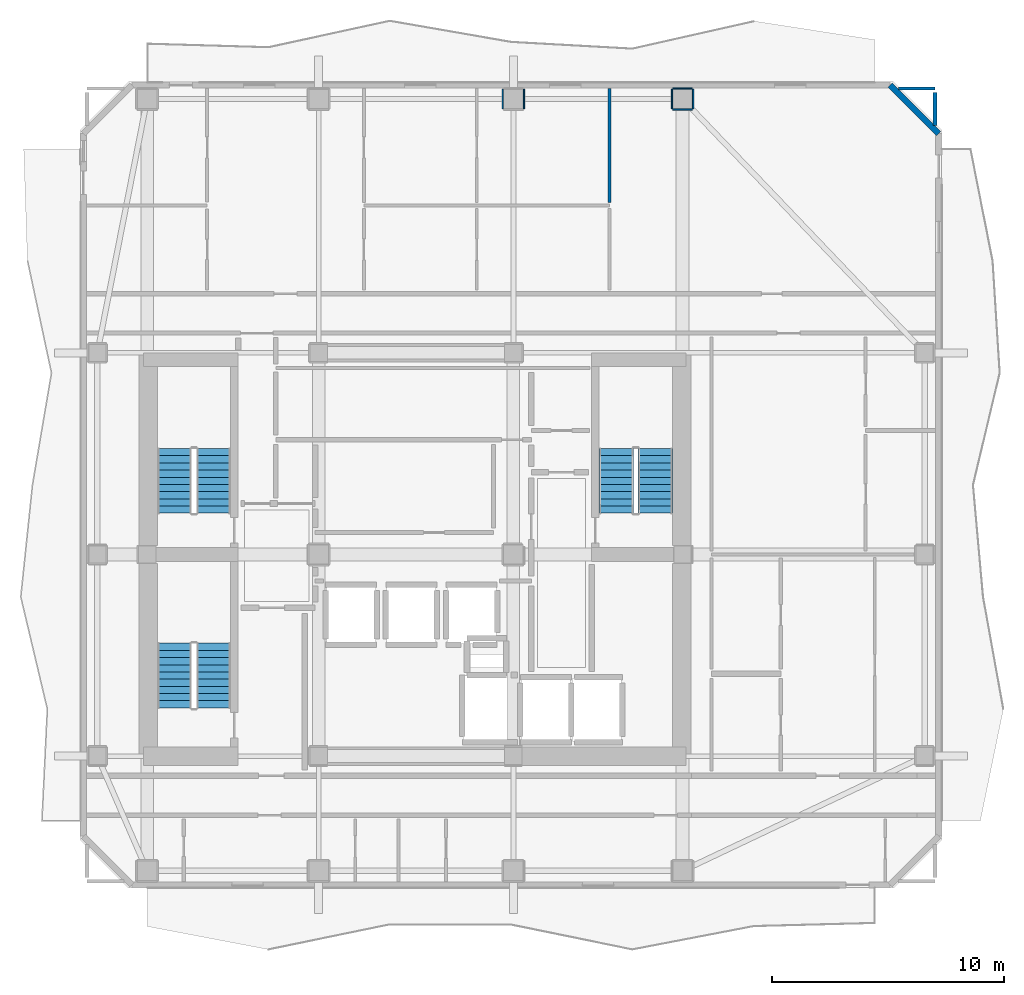
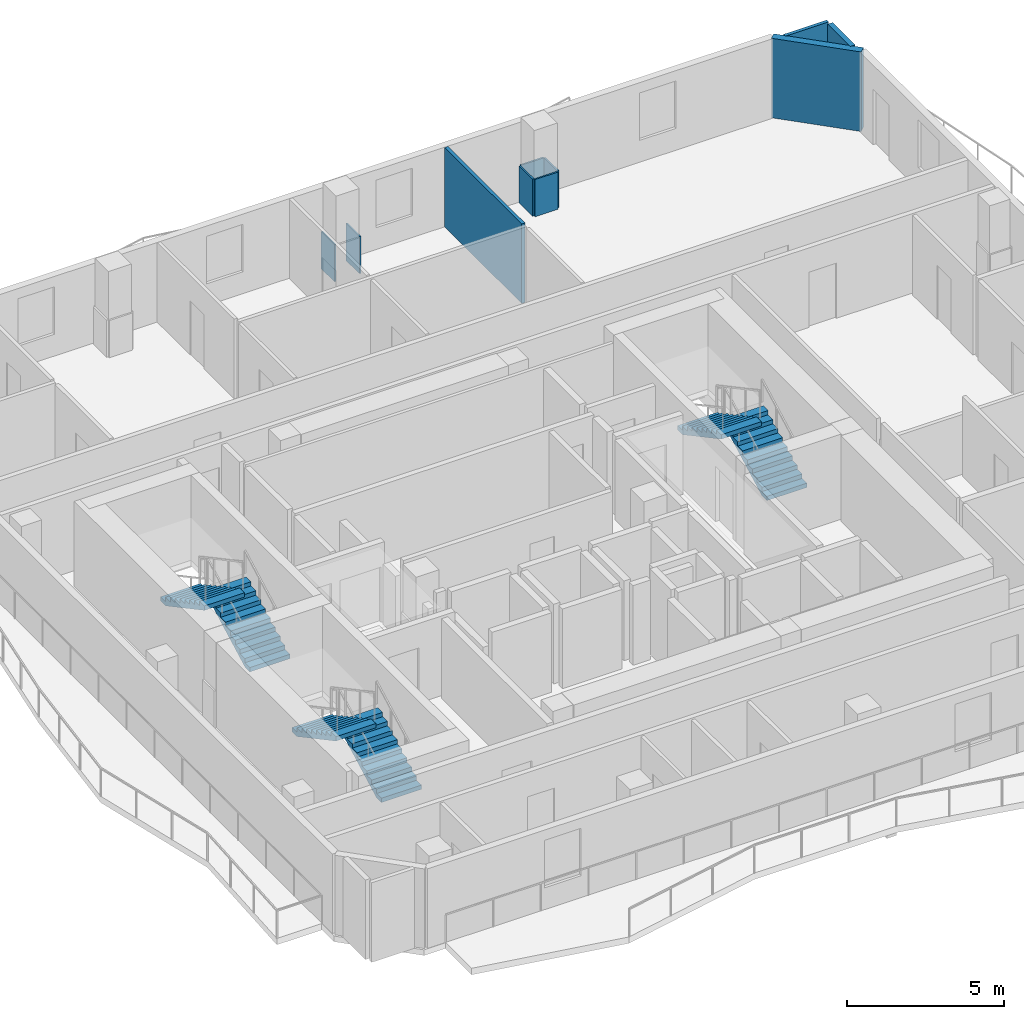
# One storey, part 6 of 9: 10 walls, 6 stair flights, 3 elements without a shape of their own.
"""IFC4 building model written with IfcOpenShell, lengths in metres."""

from ifc_helpers import new_model, si_unit, direction, frame, frame_2d, origin, place, context, subcontext, project, spatial, polyline, rectangle, outline, extrude, material, layer, layer_set, type_object, element, aggregate, save


model = new_model("IFC4")

# Units and contexts
model_context = context("Model", 3, precision=1e-05, world=origin(), true_north=direction((0.0, 1.0)))
body_context = subcontext(model_context, "Body", "Model", "MODEL_VIEW")
ifc_project = project(units=[si_unit("LENGTHUNIT", "METRE"), si_unit("AREAUNIT", "SQUARE_METRE"), si_unit("VOLUMEUNIT", "CUBIC_METRE"), si_unit("PLANEANGLEUNIT", "RADIAN"), si_unit("MASSUNIT", "GRAM", prefix="KILO")], contexts=[model_context])

# Site, building, storey
site_placement = place(None, origin())
site = spatial("IfcSite", under=ifc_project, at=site_placement, CompositionType="ELEMENT")
building_placement = place(site_placement, origin())
building = spatial("IfcBuilding", under=site, at=building_placement, Name="Solanera Arch Residences", CompositionType="ELEMENT")
storey_placement = place(building_placement, frame((0.0, 0.0, 234.60009765625)))
storey = spatial("IfcBuildingStorey", under=building, at=storey_placement, Name="L68", CompositionType="ELEMENT", Elevation=234.60009765625)

# Walls
ifc_material_1 = material(Name="Fire-Rated Gypsum Stud Partition", Category="gypsum")
ifc_layer_1 = layer(ifc_material_1, 0.06005859375)
ifc_layer_set_1 = layer_set([ifc_layer_1], Name="Fire-Rated Gypsum Stud Partition")
wall_type_1 = type_object("IfcWallType", Name="Column Acoustic Furring Wall 60", PredefinedType="PARTITIONING", material=ifc_layer_set_1)
for number, where, z_axis, x_axis, name in (
    (1, (28.742919921875, 49.925048828125, 0.0), (0.0, 0.0, 1.0), (0.0, 1.0, 0.0), "L68 Column Furring 14W"),
    (2, (29.656982421875, 49.925048828125, 0.0), (0.0, 0.0, 1.0), (0.0, 1.0, 0.0), "L68 Column Furring 14E"),
):
    element("IfcWall", number, at=place(storey_placement, frame(where, z_axis=z_axis, x_axis=x_axis)), inside=storey, type_object=wall_type_1, Name=name, PredefinedType="PARTITIONING", context=body_context, shape_type="SweptSolid", body=[
        extrude(rectangle(XDim=0.849853515625, YDim=0.06005859375, at=frame_2d((0.4248046875, 0.0))), origin(), (0.0, 0.0, 1.0), 1.449951171875),
    ])
for number, where, z_axis, x_axis, name in (
    (3, (36.074951171875, 49.89306640625, 0.0), (0.0, 0.0, 1.0), (1.0, 0.0, 0.0), "L68 Column Furring 16S"),
    (4, (36.074951171875, 50.806884765625, 0.0), (0.0, 0.0, 1.0), (1.0, 0.0, 0.0), "L68 Column Furring 16N"),
):
    element("IfcWall", number, at=place(storey_placement, frame(where, z_axis=z_axis, x_axis=x_axis)), inside=storey, type_object=wall_type_1, Name=name, PredefinedType="PARTITIONING", context=body_context, shape_type="SweptSolid", body=[
        extrude(rectangle(XDim=0.85009765625, YDim=0.06005859375, at=frame_2d((0.425048828125, 0.0))), origin(), (0.0, 0.0, 1.0), 1.449951171875),
    ])
for number, where, z_axis, x_axis, name in (
    (5, (36.04296875, 49.925048828125, 0.0), (0.0, 0.0, 1.0), (0.0, 1.0, 0.0), "L68 Column Furring 16W"),
    (6, (36.95703125, 49.925048828125, 0.0), (0.0, 0.0, 1.0), (0.0, 1.0, 0.0), "L68 Column Furring 16E"),
):
    element("IfcWall", number, at=place(storey_placement, frame(where, z_axis=z_axis, x_axis=x_axis)), inside=storey, type_object=wall_type_1, Name=name, PredefinedType="PARTITIONING", context=body_context, shape_type="SweptSolid", body=[
        extrude(rectangle(XDim=0.849853515625, YDim=0.06005859375, at=frame_2d((0.4248046875, 0.0))), origin(), (0.0, 0.0, 1.0), 1.449951171875),
    ])
ifc_material_2 = material(Name="Autoclaved Aerated Concrete Blockwork", Category="masonry")
ifc_layer_2 = layer(ifc_material_2, 0.179931640625)
ifc_layer_set_2 = layer_set([ifc_layer_2], Name="Autoclaved Aerated Concrete Blockwork")
wall_type_2 = type_object("IfcWallType", Name="Corridor Fire Partition 180", PredefinedType="PARTITIONING", material=ifc_layer_set_2)
wall_1_placement = place(storey_placement, frame((47.39990234375, 49.2109375, 0.0), z_axis=(0.0, 0.0, 1.0), x_axis=(0.0, 1.0, 0.0)))
element("IfcWall", 7, at=wall_1_placement, inside=storey, type_object=wall_type_2, Name="L68 Interior Partition V10 2", PredefinedType="PARTITIONING", context=body_context, shape_type="SweptSolid", body=[
    extrude(rectangle(XDim=1.43115234375, YDim=0.179931640625, at=frame_2d((0.715576171875, 0.0))), origin(), (0.0, 0.0, 1.0), 3.099853515625),
])
ifc_material_3 = material(Name="Precast Concrete C35/45", Category="concrete")
ifc_layer_3 = layer(ifc_material_3, 0.260009765625)
ifc_layer_set_3 = layer_set([ifc_layer_3], Name="Precast Concrete C35/45")
wall_type_3 = type_object("IfcWallType", Name="Exterior Wall Precast Masonry-Frame 260", PredefinedType="STANDARD", material=ifc_layer_set_3)
wall_2_placement = place(storey_placement, frame((45.455078125, 50.955078125, 0.0), z_axis=(0.0, 0.0, 1.0), x_axis=(0.707065676302, -0.707147883682, 0.0)))
element("IfcWall", 8, at=wall_2_placement, inside=storey, type_object=wall_type_3, Name="L68 Tower Exterior Precast Masonry-Frame Wall CH3", PredefinedType="STANDARD", context=body_context, shape_type="SweptSolid", body=[
    extrude(rectangle(XDim=2.9697265625, YDim=0.260009765625, at=frame_2d((1.48486328125, 0.0))), origin(), (0.0, 0.0, 1.0), 3.099853515625),
])
ifc_material_4 = material(Name="Fire-Rated Gypsum Stud Partition", Category="gypsum")
ifc_layer_4 = layer(ifc_material_4, 0.1201171875)
ifc_layer_set_4 = layer_set([ifc_layer_4], Name="Fire-Rated Gypsum Stud Partition")
wall_type_4 = type_object("IfcWallType", Name="Unit Drywall Partition 120", PredefinedType="PARTITIONING", material=ifc_layer_set_4)
wall_3_placement = place(storey_placement, frame((45.81103515625, 50.800048828125, 0.0), z_axis=(0.0, 0.0, 1.0), x_axis=(1.0, 0.0, 0.0)))
element("IfcWall", 9, at=wall_3_placement, inside=storey, type_object=wall_type_4, Name="L68 Interior Partition H20 2", PredefinedType="PARTITIONING", context=body_context, shape_type="SweptSolid", body=[
    extrude(rectangle(XDim=1.5888671875, YDim=0.1201171875, at=frame_2d((0.79443359375, 0.0))), origin(), (0.0, 0.0, 1.0), 3.099853515625),
])
wall_4_placement = place(storey_placement, frame((33.347900390625, 45.89404296875, 0.0), z_axis=(0.0, 0.0, 1.0), x_axis=(0.0, 1.0, 0.0)))
element("IfcWall", 10, at=wall_4_placement, inside=storey, type_object=wall_type_4, Name="L68 Interior Partition V21 2", PredefinedType="PARTITIONING", context=body_context, shape_type="SweptSolid", body=[
    extrude(rectangle(XDim=4.9189453125, YDim=0.1201171875, at=frame_2d((2.45947265625, 0.0))), origin(), (0.0, 0.0, 1.0), 3.099853515625),
])

# Stair, stair flights
ifc_material_5 = material(Name="Concrete C40/50 (f'c = 45 MPa)", Category="concrete")
stair_type = type_object("IfcStairType", Name="Tower Dogleg Exit Stair 1480", PredefinedType="HALF_TURN_STAIR", material=ifc_material_5)
stair_1_placement = place(storey_placement, origin())
stair_1 = element("IfcStair", 11, at=stair_1_placement, inside=storey, type_object=stair_type, Name="L68 Tower Core Exit Stair 1", PredefinedType="HALF_TURN_STAIR")
ifc_material_6 = material(Name="Concrete C40/50 (f'c = 45 MPa)", Category="concrete")
stair_flight_type = type_object("IfcStairFlightType", Name="Tower Precast Stair Flight 1480", PredefinedType="STRAIGHT", material=ifc_material_6)
stair_flight_1_placement = place(storey_placement, frame((16.260009765625, 32.47998046875, 0.0), z_axis=(0.0, 0.0, 1.0), x_axis=(0.0, 1.0, 0.0)))
stair_flight_1 = element("IfcStairFlight", 12, at=stair_flight_1_placement, type_object=stair_flight_type, Name="ST-T1 flight 1", NumberOfRisers=10, NumberOfTreads=9, PredefinedType="STRAIGHT", RiserHeight=0.166, TreadLength=0.31, context=body_context, shape_type="SweptSolid", body=[
    extrude(outline(polyline([(0.0, 0.0), (0.0, 0.166015625), (0.31005859375, 0.166015625), (0.31005859375, 0.33203125), (0.6201171875, 0.33203125), (0.6201171875, 0.498046875), (0.929931640625, 0.498046875), (0.929931640625, 0.6640625), (1.239990234375, 0.6640625), (1.239990234375, 0.830078125), (1.550048828125, 0.830078125), (1.550048828125, 0.99609375), (1.860107421875, 0.99609375), (1.860107421875, 1.162109375), (2.169921875, 1.162109375), (2.169921875, 1.327880859375), (2.47998046875, 1.327880859375), (2.47998046875, 1.493896484375), (2.7900390625, 1.493896484375), (2.7900390625, 1.659912109375), (2.7900390625, 1.323974609375), (0.317626953125, 0.0), (0.0, 0.0)])), frame((0.0, 0.739990234375, 0.0), z_axis=(0.0, -1.0, 0.0), x_axis=(1.0, 0.0, 0.0)), (0.0, 0.0, 1.0), 1.47998046875),
])
stair_flight_2_placement = place(storey_placement, frame((14.580078125, 35.27001953125, 1.659912109375), z_axis=(0.0, 0.0, 1.0), x_axis=(0.0, -1.0, 0.0)))
stair_flight_2 = element("IfcStairFlight", 13, at=stair_flight_2_placement, type_object=stair_flight_type, Name="ST-T1 flight 2", NumberOfRisers=10, NumberOfTreads=9, PredefinedType="STRAIGHT", RiserHeight=0.166, TreadLength=0.31, context=body_context, shape_type="SweptSolid", body=[
    extrude(outline(polyline([(0.0, 0.0), (0.0, 0.166015625), (0.31005859375, 0.166015625), (0.31005859375, 0.33203125), (0.6201171875, 0.33203125), (0.6201171875, 0.498046875), (0.929931640625, 0.498046875), (0.929931640625, 0.6640625), (1.239990234375, 0.6640625), (1.239990234375, 0.830078125), (1.550048828125, 0.830078125), (1.550048828125, 0.99609375), (1.860107421875, 0.99609375), (1.860107421875, 1.162109375), (2.169921875, 1.162109375), (2.169921875, 1.327880859375), (2.47998046875, 1.327880859375), (2.47998046875, 1.493896484375), (2.7900390625, 1.493896484375), (2.7900390625, 1.659912109375), (2.7900390625, 1.323974609375), (0.317626953125, 0.0), (0.0, 0.0)])), frame((0.0, 0.739990234375, 0.0), z_axis=(0.0, -1.0, 0.0), x_axis=(1.0, 0.0, 0.0)), (0.0, 0.0, 1.0), 1.47998046875),
])
aggregate(stair_1, [stair_flight_1, stair_flight_2])

stair_2_placement = place(storey_placement, origin())
stair_2 = element("IfcStair", 14, at=stair_2_placement, inside=storey, type_object=stair_type, Name="L68 Tower Core Exit Stair 2", PredefinedType="HALF_TURN_STAIR")
stair_flight_3_placement = place(storey_placement, frame((35.320068359375, 32.47998046875, 0.0), z_axis=(0.0, 0.0, 1.0), x_axis=(0.0, 1.0, 0.0)))
stair_flight_3 = element("IfcStairFlight", 15, at=stair_flight_3_placement, type_object=stair_flight_type, Name="ST-T2 flight 1", NumberOfRisers=10, NumberOfTreads=9, PredefinedType="STRAIGHT", RiserHeight=0.166, TreadLength=0.31, context=body_context, shape_type="SweptSolid", body=[
    extrude(outline(polyline([(0.0, 0.0), (0.0, 0.166015625), (0.31005859375, 0.166015625), (0.31005859375, 0.33203125), (0.6201171875, 0.33203125), (0.6201171875, 0.498046875), (0.929931640625, 0.498046875), (0.929931640625, 0.6640625), (1.239990234375, 0.6640625), (1.239990234375, 0.830078125), (1.550048828125, 0.830078125), (1.550048828125, 0.99609375), (1.860107421875, 0.99609375), (1.860107421875, 1.162109375), (2.169921875, 1.162109375), (2.169921875, 1.327880859375), (2.47998046875, 1.327880859375), (2.47998046875, 1.493896484375), (2.7900390625, 1.493896484375), (2.7900390625, 1.659912109375), (2.7900390625, 1.323974609375), (0.317626953125, 0.0), (0.0, 0.0)])), frame((0.0, 0.739990234375, 0.0), z_axis=(0.0, -1.0, 0.0), x_axis=(1.0, 0.0, 0.0)), (0.0, 0.0, 1.0), 1.47998046875),
])
stair_flight_4_placement = place(storey_placement, frame((33.639892578125, 35.27001953125, 1.659912109375), z_axis=(0.0, 0.0, 1.0), x_axis=(0.0, -1.0, 0.0)))
stair_flight_4 = element("IfcStairFlight", 16, at=stair_flight_4_placement, type_object=stair_flight_type, Name="ST-T2 flight 2", NumberOfRisers=10, NumberOfTreads=9, PredefinedType="STRAIGHT", RiserHeight=0.166, TreadLength=0.31, context=body_context, shape_type="SweptSolid", body=[
    extrude(outline(polyline([(0.0, 0.0), (0.0, 0.166015625), (0.31005859375, 0.166015625), (0.31005859375, 0.33203125), (0.6201171875, 0.33203125), (0.6201171875, 0.498046875), (0.929931640625, 0.498046875), (0.929931640625, 0.6640625), (1.239990234375, 0.6640625), (1.239990234375, 0.830078125), (1.550048828125, 0.830078125), (1.550048828125, 0.99609375), (1.860107421875, 0.99609375), (1.860107421875, 1.162109375), (2.169921875, 1.162109375), (2.169921875, 1.327880859375), (2.47998046875, 1.327880859375), (2.47998046875, 1.493896484375), (2.7900390625, 1.493896484375), (2.7900390625, 1.659912109375), (2.7900390625, 1.323974609375), (0.317626953125, 0.0), (0.0, 0.0)])), frame((0.0, 0.739990234375, 0.0), z_axis=(0.0, -1.0, 0.0), x_axis=(1.0, 0.0, 0.0)), (0.0, 0.0, 1.0), 1.47998046875),
])
aggregate(stair_2, [stair_flight_3, stair_flight_4])

stair_3_placement = place(storey_placement, origin())
stair_3 = element("IfcStair", 17, at=stair_3_placement, inside=storey, type_object=stair_type, Name="L68 Tower Core Exit Stair 3", PredefinedType="HALF_TURN_STAIR")
stair_flight_5_placement = place(storey_placement, frame((16.260009765625, 24.080078125, 0.0), z_axis=(0.0, 0.0, 1.0), x_axis=(0.0, 1.0, 0.0)))
stair_flight_5 = element("IfcStairFlight", 18, at=stair_flight_5_placement, type_object=stair_flight_type, Name="ST-T3 flight 1", NumberOfRisers=10, NumberOfTreads=9, PredefinedType="STRAIGHT", RiserHeight=0.166, TreadLength=0.31, context=body_context, shape_type="SweptSolid", body=[
    extrude(outline(polyline([(0.0, 0.0), (0.0, 0.166015625), (0.31005859375, 0.166015625), (0.31005859375, 0.33203125), (0.6201171875, 0.33203125), (0.6201171875, 0.498046875), (0.929931640625, 0.498046875), (0.929931640625, 0.6640625), (1.239990234375, 0.6640625), (1.239990234375, 0.830078125), (1.550048828125, 0.830078125), (1.550048828125, 0.99609375), (1.860107421875, 0.99609375), (1.860107421875, 1.162109375), (2.169921875, 1.162109375), (2.169921875, 1.327880859375), (2.47998046875, 1.327880859375), (2.47998046875, 1.493896484375), (2.7900390625, 1.493896484375), (2.7900390625, 1.659912109375), (2.7900390625, 1.323974609375), (0.317626953125, 0.0), (0.0, 0.0)])), frame((0.0, 0.739990234375, 0.0), z_axis=(0.0, -1.0, 0.0), x_axis=(1.0, 0.0, 0.0)), (0.0, 0.0, 1.0), 1.47998046875),
])
stair_flight_6_placement = place(storey_placement, frame((14.580078125, 26.8701171875, 1.659912109375), z_axis=(0.0, 0.0, 1.0), x_axis=(0.0, -1.0, 0.0)))
stair_flight_6 = element("IfcStairFlight", 19, at=stair_flight_6_placement, type_object=stair_flight_type, Name="ST-T3 flight 2", NumberOfRisers=10, NumberOfTreads=9, PredefinedType="STRAIGHT", RiserHeight=0.166, TreadLength=0.31, context=body_context, shape_type="SweptSolid", body=[
    extrude(outline(polyline([(0.0, 0.0), (0.0, 0.166015625), (0.31005859375, 0.166015625), (0.31005859375, 0.33203125), (0.6201171875, 0.33203125), (0.6201171875, 0.498046875), (0.929931640625, 0.498046875), (0.929931640625, 0.6640625), (1.239990234375, 0.6640625), (1.239990234375, 0.830078125), (1.550048828125, 0.830078125), (1.550048828125, 0.99609375), (1.860107421875, 0.99609375), (1.860107421875, 1.162109375), (2.169921875, 1.162109375), (2.169921875, 1.327880859375), (2.47998046875, 1.327880859375), (2.47998046875, 1.493896484375), (2.7900390625, 1.493896484375), (2.7900390625, 1.659912109375), (2.7900390625, 1.323974609375), (0.317626953125, 0.0), (0.0, 0.0)])), frame((0.0, 0.739990234375, 0.0), z_axis=(0.0, -1.0, 0.0), x_axis=(1.0, 0.0, 0.0)), (0.0, 0.0, 1.0), 1.47998046875),
])
aggregate(stair_3, [stair_flight_5, stair_flight_6])

save(model, "model.ifc")
